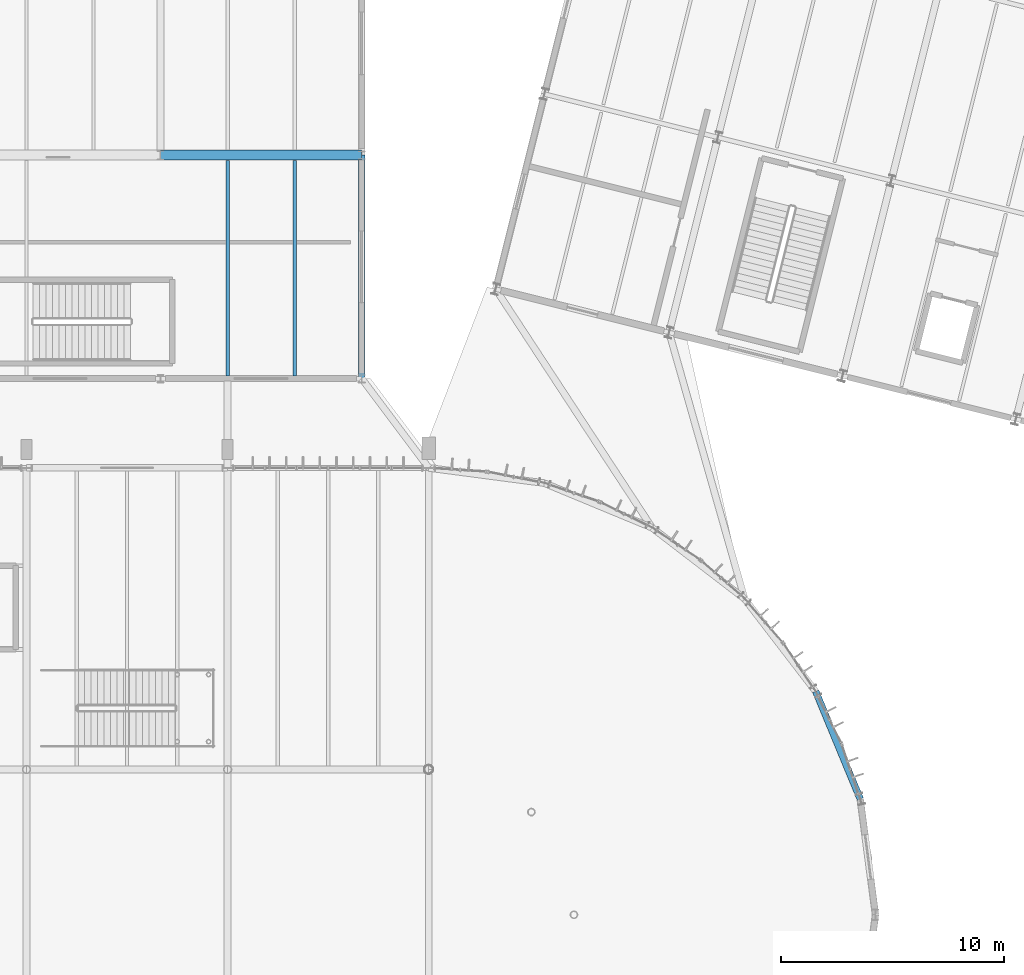
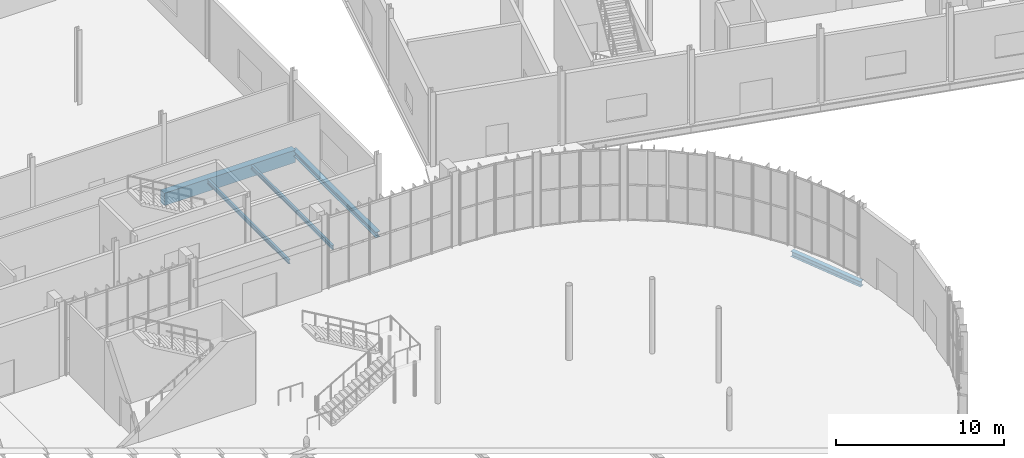
# One storey, part 70 of 158: 5 beams.
"""IFC4 building model written with IfcOpenShell, lengths in metres."""

from ifc_helpers import new_model, si_unit, derived_unit, direction, frame, origin, origin_2d, place, context, subcontext, project, spatial, rectangle, i_section, extrude, material, material_profile, profile_set, type_object, element, save


model = new_model("IFC4")

# Units and contexts
model_context = context("Model", 3, precision=1e-05, world=origin(), true_north=direction((0.0, 1.0)))
body_context = subcontext(model_context, "Body", "Model", "MODEL_VIEW")
ifc_project = project(units=[si_unit("LENGTHUNIT", "METRE"), si_unit("AREAUNIT", "SQUARE_METRE"), si_unit("VOLUMEUNIT", "CUBIC_METRE"), si_unit("PLANEANGLEUNIT", "RADIAN"), si_unit("MASSUNIT", "GRAM", prefix="KILO"), si_unit("THERMODYNAMICTEMPERATUREUNIT", "KELVIN"), si_unit("TIMEUNIT", "SECOND"), derived_unit("THERMALTRANSMITTANCEUNIT", [(si_unit("MASSUNIT", "GRAM", prefix="KILO"), 1), (si_unit("THERMODYNAMICTEMPERATUREUNIT", "KELVIN"), -1), (si_unit("TIMEUNIT", "SECOND"), -3)])], contexts=[model_context])

# Site, building, storey
site_placement = place(None, origin())
site = spatial("IfcSite", under=ifc_project, at=site_placement, CompositionType="ELEMENT")
building_placement = place(site_placement, origin())
building = spatial("IfcBuilding", under=site, at=building_placement, Name="Cambertide Market Hall", CompositionType="ELEMENT")
storey_placement = place(building_placement, origin())
storey = spatial("IfcBuildingStorey", under=building, at=storey_placement, Name="L01", CompositionType="ELEMENT", Elevation=0.0)

# Beams
ifc_material_1 = material(Name="Concrete B35", Category="concrete")
ifc_material_profile_1 = material_profile(ifc_material_1, rectangle(XDim=0.449951171875, YDim=0.89990234375, at=origin_2d()), Name="RC 450x900")
ifc_profile_set_1 = profile_set([ifc_material_profile_1], Name="Concrete B35")
beam_type_1 = type_object("IfcBeamType", Name="Concrete Girder RC 450x900", PredefinedType="BEAM", material=ifc_profile_set_1)
beam_1_placement = place(storey_placement, frame((93.0, 106.0, -0.81005859375), z_axis=(1.0, 0.0, 0.0), x_axis=(0.0, 1.0, 0.0)))
element("IfcBeam", 1, at=beam_1_placement, inside=storey, type_object=beam_type_1, Name="Level 1 Beam BM-V2X-L01-10-2", PredefinedType="BEAM", context=body_context, shape_type="SweptSolid", body=[
    extrude(rectangle(XDim=0.449951171875, YDim=0.89990234375, at=origin_2d()), origin(), (0.0, 0.0, 1.0), 9.0),
])
ifc_material_2 = material(Name="Steel S355", Category="steel")
ifc_material_profile_2 = material_profile(ifc_material_2, i_section(OverallWidth=0.300048828125, OverallDepth=0.39990234375, WebThickness=0.013427734375, FlangeThickness=0.02392578125, FilletRadius=0.027099609375, at=origin_2d()), Name="HEB 400")
ifc_profile_set_2 = profile_set([ifc_material_profile_2], Name="Steel S355")
beam_type_2 = type_object("IfcBeamType", Name="Steel Girder HEB 400", PredefinedType="BEAM", material=ifc_profile_set_2)
beam_2_placement = place(storey_placement, frame((124.318603515625, 77.17626953125, -0.510009765625), z_axis=(-0.382682172528, 0.923880054352, 0.0), x_axis=(-0.923880054352, -0.382682172528, 0.0)))
element("IfcBeam", 2, at=beam_2_placement, inside=storey, type_object=beam_type_2, Name="Level 1 Beam BM-V1AE-L01-8", PredefinedType="BEAM", context=body_context, shape_type="SweptSolid", body=[
    extrude(i_section(OverallWidth=0.300048828125, OverallDepth=0.39990234375, WebThickness=0.013427734375, FlangeThickness=0.02392578125, FilletRadius=0.027099609375, at=origin_2d()), origin(), (0.0, 0.0, 1.0), 5.22119140625),
])
beam_3_placement = place(storey_placement, frame((102.0, 96.0, -0.56005859375), z_axis=(0.0, 1.0, 0.0), x_axis=(-1.0, 0.0, 0.0)))
element("IfcBeam", 3, at=beam_3_placement, inside=storey, type_object=beam_type_2, Name="Level 1 Beam BM-V2Y-L01-11-1", PredefinedType="BEAM", context=body_context, shape_type="SweptSolid", body=[
    extrude(i_section(OverallWidth=0.300048828125, OverallDepth=0.39990234375, WebThickness=0.013427734375, FlangeThickness=0.02392578125, FilletRadius=0.027099609375, at=origin_2d()), origin(), (0.0, 0.0, 1.0), 10.0),
])
ifc_material_3 = material(Name="Steel S275", Category="steel")
ifc_material_profile_3 = material_profile(ifc_material_3, i_section(OverallWidth=0.14990234375, OverallDepth=0.300048828125, WebThickness=0.007080078125, FlangeThickness=0.0107421875, FilletRadius=0.014892578125, at=origin_2d()), Name="IPE 300")
ifc_profile_set_3 = profile_set([ifc_material_profile_3], Name="Steel S275")
beam_type_3 = type_object("IfcBeamType", Name="Steel Secondary Joist IPE 300", PredefinedType="JOIST", material=ifc_profile_set_3)
for number, where, z_axis, x_axis, name in (
    (4, (96.0, 96.10791015625, -0.510009765625), (0.0, 1.0, 0.0), (-1.0, 0.0, 0.0), "Level 1 Joist JS-V2-L01-10-1-1"),
    (5, (99.0, 96.10791015625, -0.510009765625), (0.0, 1.0, 0.0), (-1.0, 0.0, 0.0), "Level 1 Joist JS-V2-L01-10-1-2"),
):
    element("IfcBeam", number, at=place(storey_placement, frame(where, z_axis=z_axis, x_axis=x_axis)), inside=storey, type_object=beam_type_3, Name=name, PredefinedType="JOIST", context=body_context, shape_type="SweptSolid", body=[
        extrude(i_section(OverallWidth=0.14990234375, OverallDepth=0.300048828125, WebThickness=0.007080078125, FlangeThickness=0.0107421875, FilletRadius=0.014892578125, at=origin_2d()), origin(), (0.0, 0.0, 1.0), 9.6591796875),
    ])

save(model, "model.ifc")
